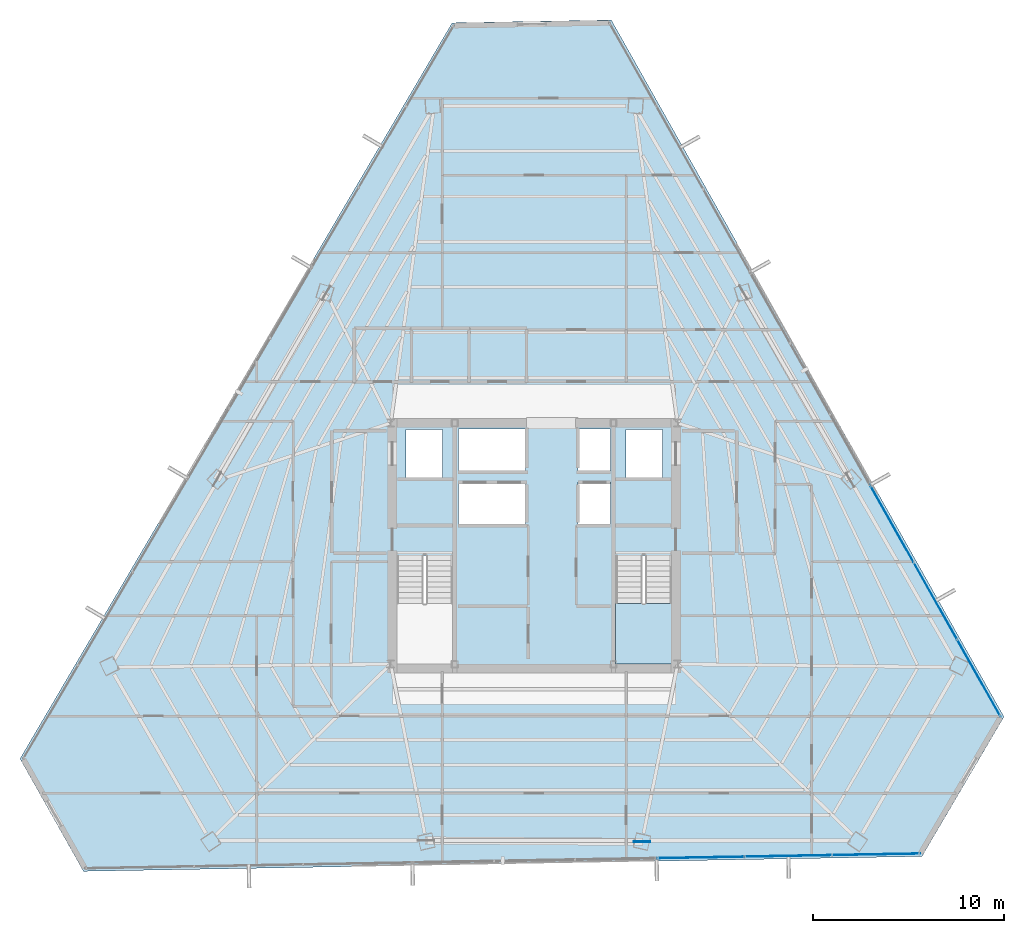
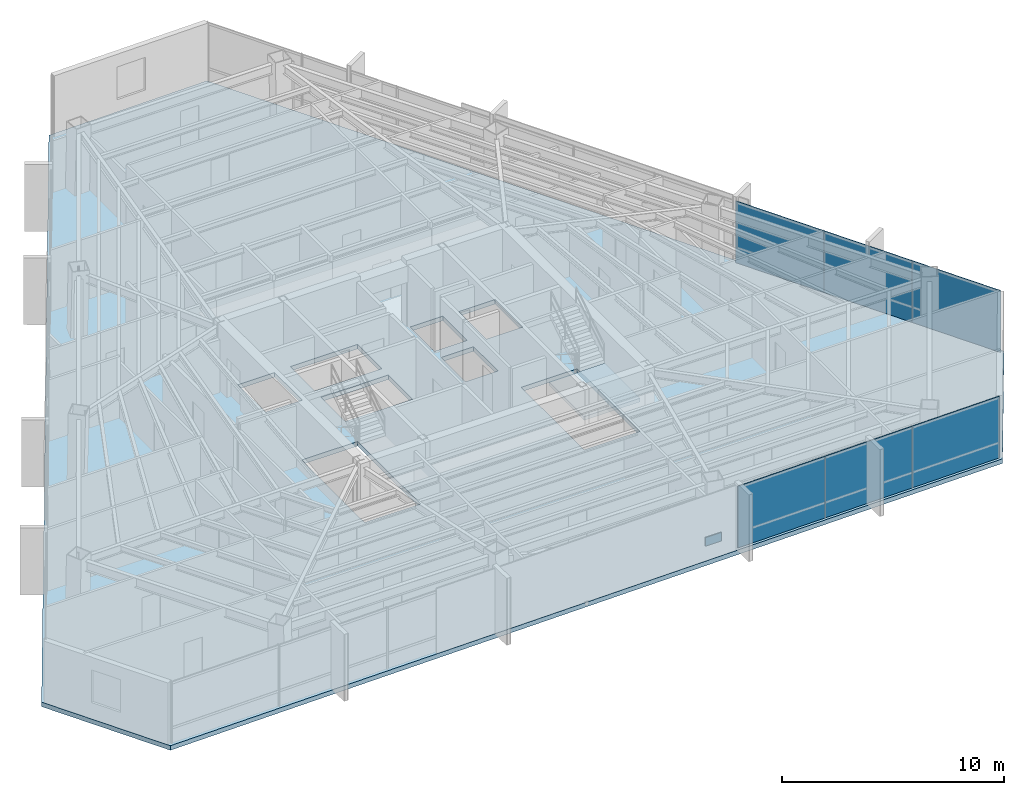
# One storey, part 34 of 42: 7 plates, 2 slabs, 3 elements without a shape of their own.
"""IFC4 building model written with IfcOpenShell, lengths in metres."""

from ifc_helpers import new_model, si_unit, direction, frame, origin, origin_2d, place, context, subcontext, project, spatial, polyline, rectangle, outline, extrude, source, transform, mapped, material, layer, layer_set, type_object, type_shapes, element, aggregate, save


model = new_model("IFC4")

# Units and contexts
model_context = context("Model", 3, precision=1e-05, world=origin(), true_north=direction((0.0, 1.0)))
body_context = subcontext(model_context, "Body", "Model", "MODEL_VIEW")
ifc_project = project(units=[si_unit("LENGTHUNIT", "METRE"), si_unit("AREAUNIT", "SQUARE_METRE"), si_unit("VOLUMEUNIT", "CUBIC_METRE"), si_unit("PLANEANGLEUNIT", "RADIAN"), si_unit("MASSUNIT", "GRAM", prefix="KILO")], contexts=[model_context])

# Site, building, storey
site_placement = place(None, origin())
site = spatial("IfcSite", under=ifc_project, at=site_placement, CompositionType="ELEMENT")
building_placement = place(site_placement, origin())
building = spatial("IfcBuilding", under=site, at=building_placement, Name="Caelisora Broadcast Tower", CompositionType="ELEMENT")
storey_placement = place(building_placement, frame((0.0, 0.0, 195.0)))
storey = spatial("IfcBuildingStorey", under=building, at=storey_placement, Name="L51", CompositionType="ELEMENT", Elevation=195.0)

# Slab
ifc_material_1 = material(Name="Concrete 40 MPa (AS 3600 N40)", Category="concrete")
ifc_layer_1 = layer(ifc_material_1, 0.25, Name="Concrete 40 MPa (AS 3600 N40)")
ifc_layer_set_1 = layer_set([ifc_layer_1], Name="Concrete 40 MPa (AS 3600 N40)")
slab_type_1 = type_object("IfcSlabType", Name="SL04", PredefinedType="FLOOR", material=ifc_layer_set_1)
slab_1_placement = place(storey_placement, frame((0.0, 0.0, -0.25)))
element("IfcSlab", 1, at=slab_1_placement, inside=storey, type_object=slab_type_1, Name="L51 suspended floor SL04", PredefinedType="FLOOR", context=body_context, shape_type="SweptSolid", body=[
    extrude(outline(polyline([(42.030029296875, 51.05810546875), (33.715087890625, 50.910888671875), (11.134033203125, 12.45703125), (14.448974609375, 6.574951171875), (58.263916015625, 7.35205078125), (62.550048828125, 14.64990234375), (42.030029296875, 51.05810546875)]), holes=[polyline([(30.820068359375, 17.39990234375), (33.739990234375, 17.39990234375), (33.739990234375, 23.080078125), (30.820068359375, 23.080078125), (30.820068359375, 17.39990234375)]), polyline([(42.260009765625, 17.39990234375), (45.179931640625, 17.39990234375), (45.179931640625, 23.080078125), (42.260009765625, 23.080078125), (42.260009765625, 17.39990234375)]), polyline([(42.800048828125, 27.14990234375), (44.699951171875, 27.14990234375), (44.699951171875, 29.64990234375), (42.800048828125, 29.64990234375), (42.800048828125, 27.14990234375)]), polyline([(40.300048828125, 24.719970703125), (42.0, 24.719970703125), (42.0, 26.919921875), (40.300048828125, 26.919921875), (40.300048828125, 24.719970703125)]), polyline([(40.300048828125, 27.5), (42.0, 27.5), (42.0, 29.699951171875), (40.300048828125, 29.699951171875), (40.300048828125, 27.5)]), polyline([(34.050048828125, 24.719970703125), (37.550048828125, 24.719970703125), (37.550048828125, 26.919921875), (34.050048828125, 26.919921875), (34.050048828125, 24.719970703125)]), polyline([(34.050048828125, 27.5), (37.550048828125, 27.5), (37.550048828125, 29.699951171875), (34.050048828125, 29.699951171875), (34.050048828125, 27.5)]), polyline([(31.300048828125, 27.14990234375), (33.199951171875, 27.14990234375), (33.199951171875, 29.64990234375), (31.300048828125, 29.64990234375), (31.300048828125, 27.14990234375)])]), origin(), (0.0, 0.0, 1.0), 0.25),
])

# Stair, slab
stair_type = type_object("IfcStairType", Name="ST-2", PredefinedType="HALF_TURN_STAIR", material=ifc_material_1)
stair_placement = place(storey_placement, origin())
stair = element("IfcStair", 2, at=stair_placement, inside=storey, type_object=stair_type, Name="L51 East Fire-Isolated Tower Stair", PredefinedType="HALF_TURN_STAIR")
ifc_layer_2 = layer(ifc_material_1, 0.199951171875, Name="Concrete 40 MPa (AS 3600 N40)")
ifc_layer_set_2 = layer_set([ifc_layer_2], Name="Concrete 40 MPa (AS 3600 N40)")
slab_type_2 = type_object("IfcSlabType", Name="STL-1", PredefinedType="LANDING", material=ifc_layer_set_2)
slab_2_placement = place(storey_placement, frame((0.0, 0.0, 1.625)))
slab_2 = element("IfcSlab", 3, at=slab_2_placement, type_object=slab_type_2, Name="ST-2 landing 1", PredefinedType="LANDING", context=body_context, shape_type="SweptSolid", body=[
    extrude(outline(polyline([(42.260009765625, 20.580078125), (42.260009765625, 17.39990234375), (45.179931640625, 17.39990234375), (45.179931640625, 20.580078125), (42.260009765625, 20.580078125)])), origin(), (0.0, 0.0, 1.0), 0.199951171875),
])
aggregate(stair, [slab_2])

# Plate
ifc_material_2 = material(Name="Steel Grade 350 L15 (AS/NZS 3678)", Category="steel")
ifc_layer_3 = layer(ifc_material_2, 0.0400390625, Name="Steel Grade 350 L15 (AS/NZS 3678)")
ifc_layer_set_3 = layer_set([ifc_layer_3], Name="Steel Grade 350 L15 (AS/NZS 3678)")
plate_type_1 = type_object("IfcPlateType", Name="GP04", PredefinedType="USERDEFINED", material=ifc_layer_set_3)
shared_shape_1 = source(origin(), body_context, "Body", "SweptSolid", [
    extrude(rectangle(XDim=0.85009765625, YDim=0.0400390625, at=origin_2d()), origin(), (0.0, 0.0, 1.0), 0.699951171875),
])
type_shapes(plate_type_1, [shared_shape_1])
plate_1_placement = place(storey_placement, frame((43.62890625, 8.11572265625, -0.22998046875), z_axis=(0.0, 0.0, 1.0), x_axis=(1.0, 0.0, 0.0)))
element("IfcPlate", 4, at=plate_1_placement, inside=storey, type_object=plate_type_1, Name="L51 gusset plate GP04 (ND-L51-C07B)", ObjectType="GUSSET PLATE", PredefinedType="USERDEFINED", context=body_context, shape_type="MappedRepresentation", body=[
    mapped(shared_shape_1, transform((0.0, 0.0, 0.0), scale=1.0)),
])

# Curtain wall, plates
ifc_material_3 = material(Name="Unitised Aluminium and Low-E Glass Curtain Wall", Category="glass")
curtain_wall_type = type_object("IfcCurtainWallType", Name="CW-Z4", PredefinedType="NOTDEFINED", material=ifc_material_3)
curtain_wall_1_placement = place(storey_placement, origin())
curtain_wall_1 = element("IfcCurtainWall", 5, at=curtain_wall_1_placement, inside=storey, type_object=curtain_wall_type, Name="L51 curtain wall CW-Z4", PredefinedType="NOTDEFINED")
ifc_material_4 = material(Name="Double Glazed Low-E Argon IGU", Category="glass")
ifc_layer_4 = layer(ifc_material_4, 0.030029296875, Name="Double Glazed Low-E Argon IGU")
ifc_layer_set_4 = layer_set([ifc_layer_4], Name="Double Glazed Low-E Argon IGU")
plate_type_2 = type_object("IfcPlateType", Name="CWP-05", PredefinedType="CURTAIN_PANEL", material=ifc_layer_set_4)
shared_shape_2 = source(origin(), body_context, "Body", "SweptSolid", [
    extrude(rectangle(XDim=4.631103515625, YDim=0.030029296875, at=origin_2d()), origin(), (0.0, 0.0, 1.0), 3.39990234375),
])
plate_2_placement = place(storey_placement, frame((56.69189453125, 24.73828125, 0.0), z_axis=(0.0, 0.0, 1.0), x_axis=(0.491055801632, -0.871128118983, 0.0)))
plate_2 = element("IfcPlate", 6, at=plate_2_placement, type_object=plate_type_2, Name="L51-CW-B03 glazed panel #1", PredefinedType="CURTAIN_PANEL", context=body_context, shape_type="MappedRepresentation", body=[
    mapped(shared_shape_2, transform((0.0, 0.0, 0.0), scale=1.0)),
])
plate_3_placement = place(storey_placement, frame((58.966064453125, 20.703857421875, 0.0), z_axis=(0.0, 0.0, 1.0), x_axis=(0.491055801632, -0.871128118983, 0.0)))
plate_3 = element("IfcPlate", 7, at=plate_3_placement, type_object=plate_type_2, Name="L51-CW-B03 glazed panel #2", PredefinedType="CURTAIN_PANEL", context=body_context, shape_type="MappedRepresentation", body=[
    mapped(shared_shape_2, transform((0.0, 0.0, 0.0), scale=1.0)),
])
plate_4_placement = place(storey_placement, frame((61.239990234375, 16.669189453125, 0.0), z_axis=(0.0, 0.0, 1.0), x_axis=(0.491055801632, -0.871128118983, 0.0)))
plate_4 = element("IfcPlate", 8, at=plate_4_placement, type_object=plate_type_2, Name="L51-CW-B03 glazed panel #3", PredefinedType="CURTAIN_PANEL", context=body_context, shape_type="MappedRepresentation", body=[
    mapped(shared_shape_2, transform((0.0, 0.0, 0.0), scale=1.0)),
])
aggregate(curtain_wall_1, [plate_2, plate_3, plate_4])

curtain_wall_2_placement = place(storey_placement, origin())
curtain_wall_2 = element("IfcCurtainWall", 9, at=curtain_wall_2_placement, inside=storey, type_object=curtain_wall_type, Name="L51 curtain wall CW-Z4", PredefinedType="NOTDEFINED")
shared_shape_3 = source(origin(), body_context, "Body", "SweptSolid", [
    extrude(rectangle(XDim=4.59326171875, YDim=0.030029296875, at=origin_2d()), origin(), (0.0, 0.0, 1.0), 3.39990234375),
])
type_shapes(plate_type_2, [shared_shape_2, shared_shape_3])
plate_5_placement = place(storey_placement, frame((55.880615234375, 7.459228515625, 0.0), z_axis=(0.0, 0.0, 1.0), x_axis=(-0.999844633908, -0.017626912514, 0.0)))
plate_5 = element("IfcPlate", 10, at=plate_5_placement, type_object=plate_type_2, Name="L51-CW-B05 glazed panel #1", PredefinedType="CURTAIN_PANEL", context=body_context, shape_type="MappedRepresentation", body=[
    mapped(shared_shape_3, transform((0.0, 0.0, 0.0), scale=1.0)),
])
plate_6_placement = place(storey_placement, frame((51.2880859375, 7.3779296875, 0.0), z_axis=(0.0, 0.0, 1.0), x_axis=(-0.999844633908, -0.017626912514, 0.0)))
plate_6 = element("IfcPlate", 11, at=plate_6_placement, type_object=plate_type_2, Name="L51-CW-B05 glazed panel #2", PredefinedType="CURTAIN_PANEL", context=body_context, shape_type="MappedRepresentation", body=[
    mapped(shared_shape_3, transform((0.0, 0.0, 0.0), scale=1.0)),
])
plate_7_placement = place(storey_placement, frame((46.695556640625, 7.296630859375, 0.0), z_axis=(0.0, 0.0, 1.0), x_axis=(-0.999844633908, -0.017626912514, 0.0)))
plate_7 = element("IfcPlate", 12, at=plate_7_placement, type_object=plate_type_2, Name="L51-CW-B05 glazed panel #3", PredefinedType="CURTAIN_PANEL", context=body_context, shape_type="MappedRepresentation", body=[
    mapped(shared_shape_3, transform((0.0, 0.0, 0.0), scale=1.0)),
])
aggregate(curtain_wall_2, [plate_5, plate_6, plate_7])

save(model, "model.ifc")
